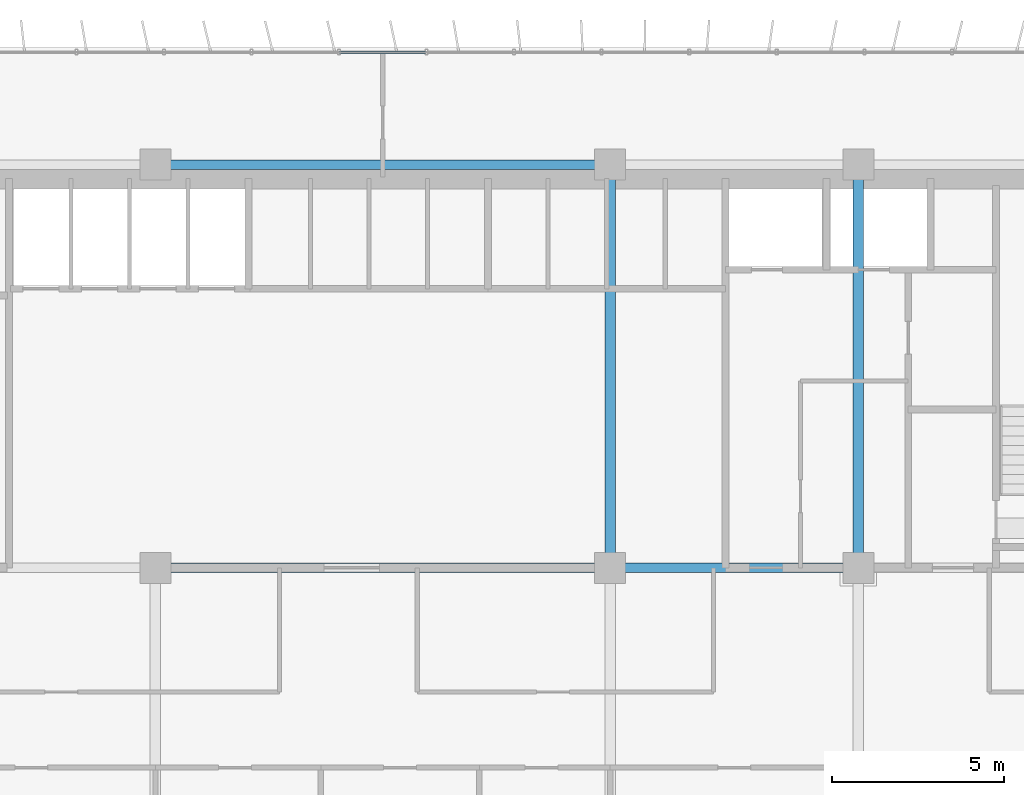
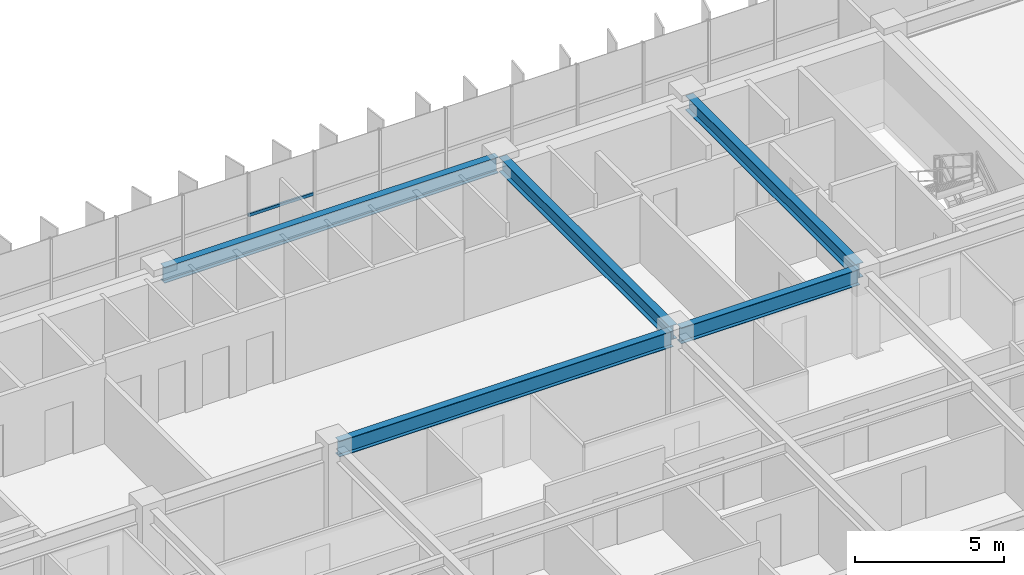
# One storey, part 9 of 22: 5 beams, 1 member, 1 element without a shape of its own.
"""IFC4 building model written with IfcOpenShell, lengths in metres."""

from ifc_helpers import new_model, si_unit, direction, frame, origin, origin_2d, place, context, subcontext, project, spatial, hollow_rectangle, i_section, extrude, source, transform, mapped, material, material_profile, profile_set, type_object, element, aggregate, save


model = new_model("IFC4")

# Units and contexts
model_context = context("Model", 3, precision=1e-05, world=origin(), true_north=direction((0.0, 1.0)))
body_context = subcontext(model_context, "Body", "Model", "MODEL_VIEW")
ifc_project = project(units=[si_unit("LENGTHUNIT", "METRE"), si_unit("AREAUNIT", "SQUARE_METRE"), si_unit("VOLUMEUNIT", "CUBIC_METRE"), si_unit("PLANEANGLEUNIT", "RADIAN"), si_unit("MASSUNIT", "GRAM", prefix="KILO")], contexts=[model_context])

# Site, building, storey
site_placement = place(None, origin())
site = spatial("IfcSite", under=ifc_project, at=site_placement, CompositionType="ELEMENT")
building_placement = place(site_placement, origin())
building = spatial("IfcBuilding", under=site, at=building_placement, Name="Trelvane Seafront Commons", CompositionType="ELEMENT")
storey_placement = place(building_placement, frame((0.0, 0.0, 55.89990234375)))
storey = spatial("IfcBuildingStorey", under=building, at=storey_placement, Name="L14", CompositionType="ELEMENT", Elevation=55.89990234375)

# Beams
ifc_material_1 = material(Name="Steel SM355 (S355)", Category="steel")
ifc_material_profile_1 = material_profile(ifc_material_1, i_section(OverallWidth=0.280029296875, OverallDepth=0.64990234375, WebThickness=0.012939453125, FlangeThickness=0.02197265625, at=origin_2d()), Name="H-650x280x13x22")
ifc_profile_set_1 = profile_set([ifc_material_profile_1], Name="Steel SM355 (S355)")
beam_type_1 = type_object("IfcBeamType", Name="STR-BM-H650", PredefinedType="BEAM", material=ifc_profile_set_1)
shared_shape_1 = source(origin(), body_context, "Body", "SweptSolid", [
    extrude(i_section(OverallWidth=0.280029296875, OverallDepth=0.64990234375, WebThickness=0.012939453125, FlangeThickness=0.02197265625, at=origin_2d()), origin(), (0.0, 0.0, 1.0), 12.89990234375),
])
for number, where, z_axis, x_axis, name in (
    (1, (30.75, 33.39990234375, 3.01513671875), (1.0, 0.0, 0.0), (0.0, 1.0, 0.0), "L14 Primary Girder G-23"),
    (2, (30.75, 45.10009765625, 3.01513671875), (1.0, 0.0, 0.0), (0.0, 1.0, 0.0), "L14 Primary Girder G-32"),
):
    element("IfcBeam", number, at=place(storey_placement, frame(where, z_axis=z_axis, x_axis=x_axis)), inside=storey, type_object=beam_type_1, Name=name, PredefinedType="BEAM", context=body_context, shape_type="MappedRepresentation", body=[
        mapped(shared_shape_1, transform((0.0, 0.0, 0.0), x_axis=(1.0, 0.0, 0.0), y_axis=(0.0, 1.0, 0.0), z_axis=(0.0, 0.0, 1.0), scale=1.0)),
    ])
shared_shape_2 = source(origin(), body_context, "Body", "SweptSolid", [
    extrude(i_section(OverallWidth=0.280029296875, OverallDepth=0.64990234375, WebThickness=0.012939453125, FlangeThickness=0.02197265625, at=origin_2d()), origin(), (0.0, 0.0, 1.0), 6.900146484375),
])
beam_placement = place(storey_placement, frame((43.949951171875, 33.39990234375, 3.01513671875), z_axis=(1.0, 0.0, 0.0), x_axis=(0.0, 1.0, 0.0)))
element("IfcBeam", 3, at=beam_placement, inside=storey, type_object=beam_type_1, Name="L14 Primary Girder G-24", PredefinedType="BEAM", context=body_context, shape_type="MappedRepresentation", body=[
    mapped(shared_shape_2, transform((0.0, 0.0, 0.0), x_axis=(1.0, 0.0, 0.0), y_axis=(0.0, 1.0, 0.0), z_axis=(0.0, 0.0, 1.0), scale=1.0)),
])
ifc_material_profile_2 = material_profile(ifc_material_1, i_section(OverallWidth=0.300048828125, OverallDepth=0.587890625, WebThickness=0.011962890625, FlangeThickness=0.02001953125, at=origin_2d()), Name="H-588x300x12x20")
ifc_profile_set_2 = profile_set([ifc_material_profile_2], Name="Steel SM355 (S355)")
beam_type_2 = type_object("IfcBeamType", Name="STR-BM-H588", PredefinedType="BEAM", material=ifc_profile_set_2)
shared_shape_3 = source(origin(), body_context, "Body", "SweptSolid", [
    extrude(i_section(OverallWidth=0.300048828125, OverallDepth=0.587890625, WebThickness=0.011962890625, FlangeThickness=0.02001953125, at=origin_2d()), origin(), (0.0, 0.0, 1.0), 11.39990234375),
])
for number, where, z_axis, x_axis, name in (
    (4, (43.800048828125, 33.550048828125, 3.046142578125), (0.0, 1.0, 0.0), (-1.0, 0.0, 0.0), "L14 Primary Girder G-54"),
    (5, (51.0, 33.550048828125, 3.046142578125), (0.0, 1.0, 0.0), (-1.0, 0.0, 0.0), "L14 Primary Girder G-57"),
):
    element("IfcBeam", number, at=place(storey_placement, frame(where, z_axis=z_axis, x_axis=x_axis)), inside=storey, type_object=beam_type_2, Name=name, PredefinedType="BEAM", context=body_context, shape_type="MappedRepresentation", body=[
        mapped(shared_shape_3, transform((0.0, 0.0, 0.0), x_axis=(1.0, 0.0, 0.0), y_axis=(0.0, 1.0, 0.0), z_axis=(0.0, 0.0, 1.0), scale=1.0)),
    ])

# Curtain wall, member
ifc_material_2 = material(Name="Anodised pale-silver aluminium", Category="aluminium")
curtain_wall_type = type_object("IfcCurtainWallType", Name="ARCH-CW2-LOWTOWER", PredefinedType="NOTDEFINED", material=ifc_material_2)
curtain_wall_placement = place(storey_placement, origin())
curtain_wall = element("IfcCurtainWall", 6, at=curtain_wall_placement, inside=storey, type_object=curtain_wall_type, Name="CW-L14-0038", PredefinedType="NOTDEFINED")
ifc_material_profile_3 = material_profile(ifc_material_2, hollow_rectangle(XDim=0.070068359375, YDim=0.1201171875, WallThickness=0.00390625, at=origin_2d()), Name="TRAN-70x120x4")
ifc_profile_set_3 = profile_set([ifc_material_profile_3], Name="Anodised pale-silver aluminium")
member_type = type_object("IfcMemberType", Name="ARCH-CW-TRAN-120", PredefinedType="USERDEFINED", material=ifc_profile_set_3)
shared_shape_4 = source(origin(), body_context, "Body", "SweptSolid", [
    extrude(hollow_rectangle(XDim=0.070068359375, YDim=0.1201171875, WallThickness=0.00390625, at=origin_2d()), origin(), (0.0, 0.0, 1.0), 2.51708984375),
])
member_placement = place(storey_placement, frame((35.94140625, 48.3701171875, 1.60302734375), z_axis=(1.0, 0.0, 0.0), x_axis=(0.0, 1.0, 0.0)))
member = element("IfcMember", 7, at=member_placement, type_object=member_type, Name="CW-L14-0038-T08", ObjectType="TRANSOM", PredefinedType="USERDEFINED", context=body_context, shape_type="MappedRepresentation", body=[
    mapped(shared_shape_4, transform((0.0, 0.0, 0.0), x_axis=(1.0, 0.0, 0.0), y_axis=(0.0, 1.0, 0.0), z_axis=(0.0, 0.0, 1.0), scale=1.0)),
])
aggregate(curtain_wall, [member])

save(model, "model.ifc")
